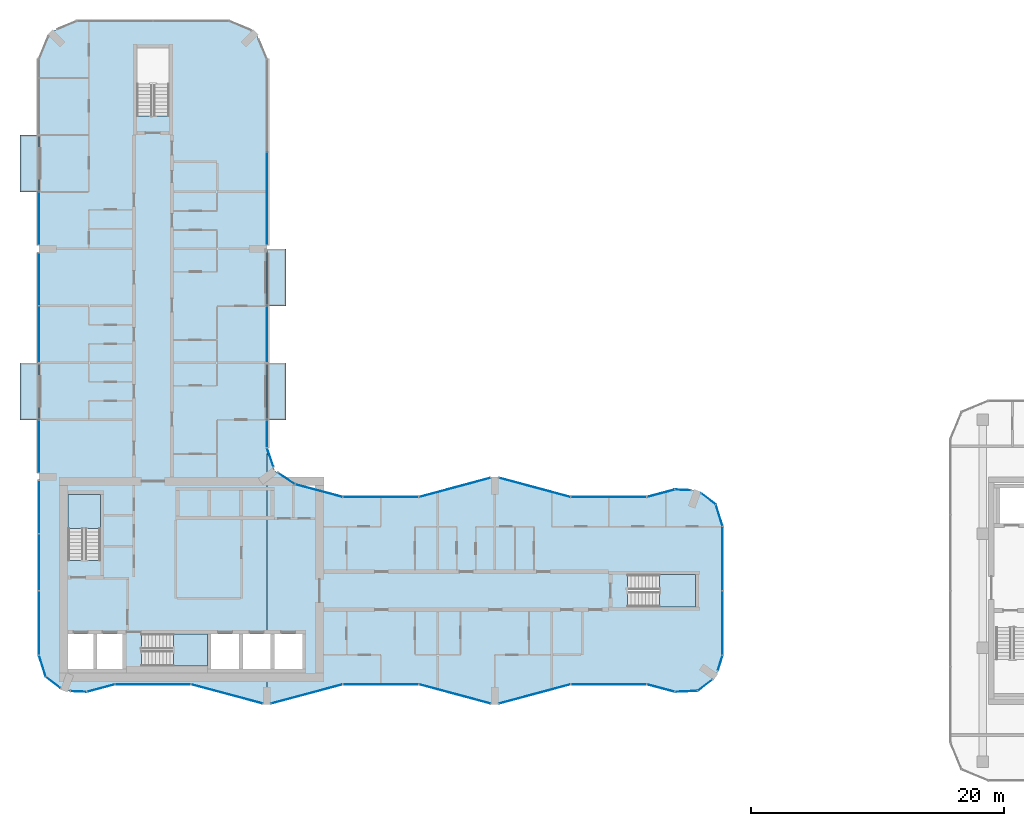
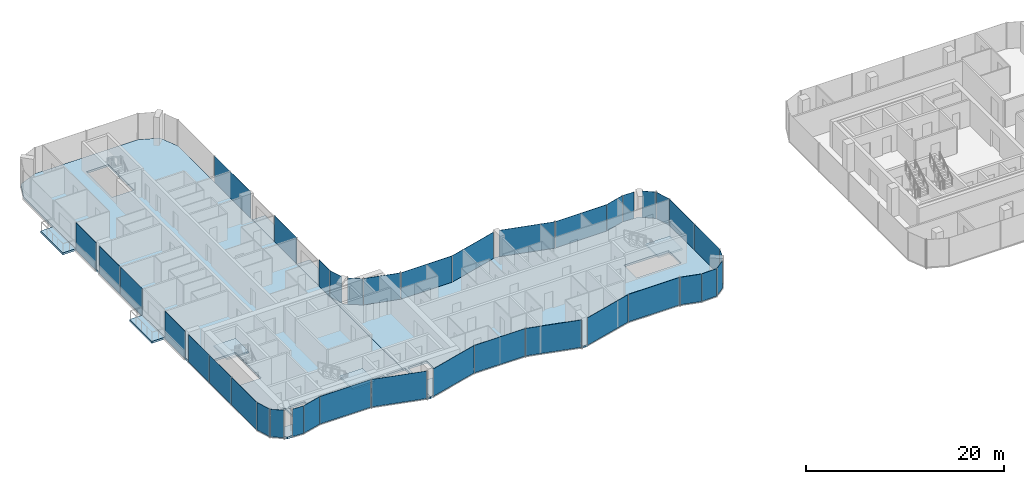
# One storey, part 11 of 23: 38 plates, 9 slabs, 37 elements without a shape of their own.
"""IFC4 building model written with IfcOpenShell, lengths in metres."""

from ifc_helpers import new_model, si_unit, direction, frame, origin, origin_2d, place, context, subcontext, project, spatial, polyline, rectangle, outline, extrude, material, layer, layer_set, type_object, element, aggregate, save


model = new_model("IFC4")

# Units and contexts
model_context = context("Model", 3, precision=1e-05, world=origin(), true_north=direction((0.0, 1.0)))
body_context = subcontext(model_context, "Body", "Model", "MODEL_VIEW")
ifc_project = project(units=[si_unit("LENGTHUNIT", "METRE"), si_unit("AREAUNIT", "SQUARE_METRE"), si_unit("VOLUMEUNIT", "CUBIC_METRE"), si_unit("PLANEANGLEUNIT", "RADIAN"), si_unit("MASSUNIT", "GRAM", prefix="KILO")], contexts=[model_context])

# Site, building, storey
site_placement = place(None, origin())
site = spatial("IfcSite", under=ifc_project, at=site_placement, CompositionType="ELEMENT")
building_placement = place(site_placement, origin())
building = spatial("IfcBuilding", under=site, at=building_placement, Name="Plateau Cross Towers", CompositionType="ELEMENT")
storey_placement = place(building_placement, frame((0.0, 0.0, 85.300048828125)))
storey = spatial("IfcBuildingStorey", under=building, at=storey_placement, Name="L21", CompositionType="ELEMENT", Elevation=85.300048828125)

# Slabs
ifc_material_1 = material(Name="Concrete C40/50", Category="concrete")
ifc_layer_1 = layer(ifc_material_1, 0.25)
ifc_layer_set_1 = layer_set([ifc_layer_1], Name="Concrete C40/50")
slab_type_1 = type_object("IfcSlabType", Name="Balcony slab 250", PredefinedType="FLOOR", material=ifc_layer_set_1)
slab_1_placement = place(storey_placement, frame((0.0, 0.0, -0.25)))
element("IfcSlab", 1, at=slab_1_placement, inside=storey, type_object=slab_type_1, Name="Balcony slab A-BAL-L21-01", PredefinedType="FLOOR", context=body_context, shape_type="SweptSolid", body=[
    extrude(outline(polyline([(0.0, 22.5), (0.0, 27.0), (-1.5, 27.0), (-1.5, 22.5), (0.0, 22.5)])), origin(), (0.0, 0.0, 1.0), 0.25),
])
slab_2_placement = place(storey_placement, frame((0.0, 0.0, -0.25)))
element("IfcSlab", 2, at=slab_2_placement, inside=storey, type_object=slab_type_1, Name="Balcony slab A-BAL-L21-02", PredefinedType="FLOOR", context=body_context, shape_type="SweptSolid", body=[
    extrude(outline(polyline([(0.0, 40.5), (0.0, 45.0), (-1.5, 45.0), (-1.5, 40.5), (0.0, 40.5)])), origin(), (0.0, 0.0, 1.0), 0.25),
])
slab_3_placement = place(storey_placement, frame((0.0, 0.0, -0.25)))
element("IfcSlab", 3, at=slab_3_placement, inside=storey, type_object=slab_type_1, Name="Balcony slab A-BAL-L21-03", PredefinedType="FLOOR", context=body_context, shape_type="SweptSolid", body=[
    extrude(outline(polyline([(19.5, 22.5), (19.5, 27.0), (18.0, 27.0), (18.0, 22.5), (19.5, 22.5)])), origin(), (0.0, 0.0, 1.0), 0.25),
])
slab_4_placement = place(storey_placement, frame((0.0, 0.0, -0.25)))
element("IfcSlab", 4, at=slab_4_placement, inside=storey, type_object=slab_type_1, Name="Balcony slab A-BAL-L21-04", PredefinedType="FLOOR", context=body_context, shape_type="SweptSolid", body=[
    extrude(outline(polyline([(19.5, 31.5), (19.5, 36.0), (18.0, 36.0), (18.0, 31.5), (19.5, 31.5)])), origin(), (0.0, 0.0, 1.0), 0.25),
])

# Curtain wall, plate
ifc_material_2 = material(Name="Dark low-iron glass", Category="glass")
ifc_layer_2 = layer(ifc_material_2, 0.239990234375)
ifc_layer_set_2 = layer_set([ifc_layer_2], Name="Dark low-iron glass")
curtain_wall_type_1 = type_object("IfcCurtainWallType", Name="Curtain wall flush unitised CW-B", PredefinedType="NOTDEFINED", material=ifc_layer_set_2)
curtain_wall_1_placement = place(storey_placement, origin())
curtain_wall_1 = element("IfcCurtainWall", 5, at=curtain_wall_1_placement, inside=storey, type_object=curtain_wall_type_1, Name="ENV/A/L21/A502_10", PredefinedType="NOTDEFINED")
ifc_layer_3 = layer(ifc_material_2, 0.031982421875)
ifc_layer_set_3 = layer_set([ifc_layer_3], Name="Dark low-iron glass")
plate_type_1 = type_object("IfcPlateType", Name="Glass panel 32 flush unitised", PredefinedType="CURTAIN_PANEL", material=ifc_layer_set_3)
plate_1_placement = place(storey_placement, frame((51.125, 1.05078125, -0.1298828125), z_axis=(0.0, 0.0, 1.0), x_axis=(0.999043701491, 0.043722791671, 0.0)))
plate_1 = element("IfcPlate", 6, at=plate_1_placement, type_object=plate_type_1, Name="CW-B panel 1", PredefinedType="CURTAIN_PANEL", context=body_context, shape_type="SweptSolid", body=[
    extrude(rectangle(XDim=1.744140625, YDim=0.031982421875, at=origin_2d()), origin(), (0.0, 0.0, 1.0), 3.3798828125),
])
aggregate(curtain_wall_1, [plate_1])

curtain_wall_2_placement = place(storey_placement, origin())
curtain_wall_2 = element("IfcCurtainWall", 7, at=curtain_wall_2_placement, inside=storey, type_object=curtain_wall_type_1, Name="ENV/A/L21/A520_11", PredefinedType="NOTDEFINED")
plate_2_placement = place(storey_placement, frame((52.60986328125, 1.5380859375, -0.1298828125), z_axis=(0.0, 0.0, 1.0), x_axis=(0.793315514529, 0.608810721331, 0.0)))
plate_2 = element("IfcPlate", 8, at=plate_2_placement, type_object=plate_type_1, Name="CW-B panel 1", PredefinedType="CURTAIN_PANEL", context=body_context, shape_type="SweptSolid", body=[
    extrude(rectangle(XDim=1.41162109375, YDim=0.031982421875, at=origin_2d()), origin(), (0.0, 0.0, 1.0), 3.3798828125),
])
aggregate(curtain_wall_2, [plate_2])

curtain_wall_3_placement = place(storey_placement, origin())
curtain_wall_3 = element("IfcCurtainWall", 9, at=curtain_wall_3_placement, inside=storey, type_object=curtain_wall_type_1, Name="ENV/A/L21/A536_27", PredefinedType="NOTDEFINED")
plate_3_placement = place(storey_placement, frame((53.805419921875, 3.292236328125, -0.1298828125), z_axis=(0.0, 0.0, 1.0), x_axis=(0.300686174994, 0.95372313811, 0.0)))
plate_3 = element("IfcPlate", 10, at=plate_3_placement, type_object=plate_type_1, Name="CW-B panel 1", PredefinedType="CURTAIN_PANEL", context=body_context, shape_type="SweptSolid", body=[
    extrude(rectangle(XDim=1.233642578125, YDim=0.031982421875, at=origin_2d()), origin(), (0.0, 0.0, 1.0), 3.3798828125),
])
aggregate(curtain_wall_3, [plate_3])

# Curtain wall, plates
curtain_wall_4_placement = place(storey_placement, origin())
curtain_wall_4 = element("IfcCurtainWall", 11, at=curtain_wall_4_placement, inside=storey, type_object=curtain_wall_type_1, Name="ENV/A/L21/A540_39", PredefinedType="NOTDEFINED")
plate_4_placement = place(storey_placement, frame((54.0, 6.45458984375, -0.1298828125), z_axis=(0.0, 0.0, 1.0), x_axis=(0.0, 1.0, 0.0)))
plate_4 = element("IfcPlate", 12, at=plate_4_placement, type_object=plate_type_1, Name="CW-B panel 1", PredefinedType="CURTAIN_PANEL", context=body_context, shape_type="SweptSolid", body=[
    extrude(rectangle(XDim=5.03076171875, YDim=0.031982421875, at=origin_2d()), origin(), (0.0, 0.0, 1.0), 3.3798828125),
])
plate_5_placement = place(storey_placement, frame((54.0, 11.54541015625, -0.1298828125), z_axis=(0.0, 0.0, 1.0), x_axis=(0.0, 1.0, 0.0)))
plate_5 = element("IfcPlate", 13, at=plate_5_placement, type_object=plate_type_1, Name="CW-B panel 2", PredefinedType="CURTAIN_PANEL", context=body_context, shape_type="SweptSolid", body=[
    extrude(rectangle(XDim=5.03076171875, YDim=0.031982421875, at=origin_2d()), origin(), (0.0, 0.0, 1.0), 3.3798828125),
])
aggregate(curtain_wall_4, [plate_4, plate_5])

# Curtain wall, plate
curtain_wall_5_placement = place(storey_placement, origin())
curtain_wall_5 = element("IfcCurtainWall", 14, at=curtain_wall_5_placement, inside=storey, type_object=curtain_wall_type_1, Name="ENV/A/L21/A540_141", PredefinedType="NOTDEFINED")
plate_6_placement = place(storey_placement, frame((53.728759765625, 14.951171875, -0.1298828125), z_axis=(0.0, 0.0, 1.0), x_axis=(-0.300686174994, 0.95372313811, 0.0)))
plate_6 = element("IfcPlate", 15, at=plate_6_placement, type_object=plate_type_1, Name="CW-B panel 1", PredefinedType="CURTAIN_PANEL", context=body_context, shape_type="SweptSolid", body=[
    extrude(rectangle(XDim=1.744140625, YDim=0.031982421875, at=origin_2d()), origin(), (0.0, 0.0, 1.0), 3.3798828125),
])
aggregate(curtain_wall_5, [plate_6])

curtain_wall_6_placement = place(storey_placement, origin())
curtain_wall_6 = element("IfcCurtainWall", 16, at=curtain_wall_6_placement, inside=storey, type_object=curtain_wall_type_1, Name="ENV/A/L21/A535_158", PredefinedType="NOTDEFINED")
plate_7_placement = place(storey_placement, frame((52.873779296875, 16.25927734375, -0.1298828125), z_axis=(0.0, 0.0, 1.0), x_axis=(-0.793315514529, 0.608810721331, 0.0)))
plate_7 = element("IfcPlate", 17, at=plate_7_placement, type_object=plate_type_1, Name="CW-B panel 1", PredefinedType="CURTAIN_PANEL", context=body_context, shape_type="SweptSolid", body=[
    extrude(rectangle(XDim=1.41162109375, YDim=0.031982421875, at=origin_2d()), origin(), (0.0, 0.0, 1.0), 3.3798828125),
])
aggregate(curtain_wall_6, [plate_7])

curtain_wall_7_placement = place(storey_placement, origin())
curtain_wall_7 = element("IfcCurtainWall", 18, at=curtain_wall_7_placement, inside=storey, type_object=curtain_wall_type_1, Name="ENV/A/L21/A515_169", PredefinedType="NOTDEFINED")
plate_8_placement = place(storey_placement, frame((50.8701171875, 16.96044921875, -0.1298828125), z_axis=(0.0, 0.0, 1.0), x_axis=(-0.999043701491, 0.043722791671, 0.0)))
plate_8 = element("IfcPlate", 19, at=plate_8_placement, type_object=plate_type_1, Name="CW-B panel 1", PredefinedType="CURTAIN_PANEL", context=body_context, shape_type="SweptSolid", body=[
    extrude(rectangle(XDim=1.233642578125, YDim=0.031982421875, at=origin_2d()), origin(), (0.0, 0.0, 1.0), 3.3798828125),
])
aggregate(curtain_wall_7, [plate_8])

curtain_wall_8_placement = place(storey_placement, origin())
curtain_wall_8 = element("IfcCurtainWall", 20, at=curtain_wall_8_placement, inside=storey, type_object=curtain_wall_type_1, Name="ENV/A/L21/A202_174", PredefinedType="NOTDEFINED")
plate_9_placement = place(storey_placement, frame((19.546630859375, 17.856689453125, -0.1298828125), z_axis=(0.0, 0.0, 1.0), x_axis=(-0.831521253329, 0.555492938984, 0.0)))
plate_9 = element("IfcPlate", 21, at=plate_9_placement, type_object=plate_type_1, Name="CW-B panel 1", PredefinedType="CURTAIN_PANEL", context=body_context, shape_type="SweptSolid", body=[
    extrude(rectangle(XDim=1.56884765625, YDim=0.031982421875, at=origin_2d()), origin(), (0.0, 0.0, 1.0), 3.3798828125),
])
aggregate(curtain_wall_8, [plate_9])

curtain_wall_9_placement = place(storey_placement, origin())
curtain_wall_9 = element("IfcCurtainWall", 22, at=curtain_wall_9_placement, inside=storey, type_object=curtain_wall_type_1, Name="ENV/A/L21/A185_188", PredefinedType="NOTDEFINED")
plate_10_placement = place(storey_placement, frame((18.26171875, 19.531005859375, -0.1298828125), z_axis=(0.0, 0.0, 1.0), x_axis=(-0.321469161574, 0.94692004845, 0.0)))
plate_10 = element("IfcPlate", 23, at=plate_10_placement, type_object=plate_type_1, Name="CW-B panel 1", PredefinedType="CURTAIN_PANEL", context=body_context, shape_type="SweptSolid", body=[
    extrude(rectangle(XDim=1.56884765625, YDim=0.031982421875, at=origin_2d()), origin(), (0.0, 0.0, 1.0), 3.3798828125),
])
aggregate(curtain_wall_9, [plate_10])

curtain_wall_10_placement = place(storey_placement, origin())
curtain_wall_10 = element("IfcCurtainWall", 24, at=curtain_wall_10_placement, inside=storey, type_object=curtain_wall_type_1, Name="ENV/A/L21/A180_203", PredefinedType="NOTDEFINED")
plate_11_placement = place(storey_placement, frame((18.0, 21.396240234375, -0.1298828125), z_axis=(0.0, 0.0, 1.0), x_axis=(0.0, 1.0, 0.0)))
plate_11 = element("IfcPlate", 25, at=plate_11_placement, type_object=plate_type_1, Name="CW-B panel 1", PredefinedType="CURTAIN_PANEL", context=body_context, shape_type="SweptSolid", body=[
    extrude(rectangle(XDim=2.127685546875, YDim=0.031982421875, at=origin_2d()), origin(), (0.0, 0.0, 1.0), 3.3798828125),
])
aggregate(curtain_wall_10, [plate_11])

curtain_wall_11_placement = place(storey_placement, origin())
curtain_wall_11 = element("IfcCurtainWall", 26, at=curtain_wall_11_placement, inside=storey, type_object=curtain_wall_type_1, Name="ENV/A/L21/A180_270", PredefinedType="NOTDEFINED")
plate_12_placement = place(storey_placement, frame((18.0, 29.25, -0.1298828125), z_axis=(0.0, 0.0, 1.0), x_axis=(0.0, 1.0, 0.0)))
plate_12 = element("IfcPlate", 27, at=plate_12_placement, type_object=plate_type_1, Name="CW-B panel 1", PredefinedType="CURTAIN_PANEL", context=body_context, shape_type="SweptSolid", body=[
    extrude(rectangle(XDim=4.419921875, YDim=0.031982421875, at=origin_2d()), origin(), (0.0, 0.0, 1.0), 3.3798828125),
])
aggregate(curtain_wall_11, [plate_12])

curtain_wall_12_placement = place(storey_placement, origin())
curtain_wall_12 = element("IfcCurtainWall", 28, at=curtain_wall_12_placement, inside=storey, type_object=curtain_wall_type_1, Name="ENV/A/L21/A180_363", PredefinedType="NOTDEFINED")
plate_13_placement = place(storey_placement, frame((18.0, 39.97509765625, -0.1298828125), z_axis=(0.0, 0.0, 1.0), x_axis=(0.0, 1.0, 0.0)))
plate_13 = element("IfcPlate", 29, at=plate_13_placement, type_object=plate_type_1, Name="CW-B panel 1", PredefinedType="CURTAIN_PANEL", context=body_context, shape_type="SweptSolid", body=[
    extrude(rectangle(XDim=7.2900390625, YDim=0.031982421875, at=origin_2d()), origin(), (0.0, 0.0, 1.0), 3.3798828125),
])
aggregate(curtain_wall_12, [plate_13])

curtain_wall_13_placement = place(storey_placement, origin())
curtain_wall_13 = element("IfcCurtainWall", 30, at=curtain_wall_13_placement, inside=storey, type_object=curtain_wall_type_1, Name="ENV/A/L21/A0_405", PredefinedType="NOTDEFINED")
plate_14_placement = place(storey_placement, frame((0.0, 38.39501953125, -0.1298828125), z_axis=(0.0, 0.0, 1.0), x_axis=(0.0, -1.0, 0.0)))
plate_14 = element("IfcPlate", 31, at=plate_14_placement, type_object=plate_type_1, Name="CW-B panel 1", PredefinedType="CURTAIN_PANEL", context=body_context, shape_type="SweptSolid", body=[
    extrude(rectangle(XDim=4.1298828125, YDim=0.031982421875, at=origin_2d()), origin(), (0.0, 0.0, 1.0), 3.3798828125),
])
aggregate(curtain_wall_13, [plate_14])

# Curtain wall, plates
curtain_wall_14_placement = place(storey_placement, origin())
curtain_wall_14 = element("IfcCurtainWall", 32, at=curtain_wall_14_placement, inside=storey, type_object=curtain_wall_type_1, Name="ENV/A/L21/A0_357", PredefinedType="NOTDEFINED")
plate_15_placement = place(storey_placement, frame((0.0, 33.60009765625, -0.1298828125), z_axis=(0.0, 0.0, 1.0), x_axis=(0.0, -1.0, 0.0)))
plate_15 = element("IfcPlate", 33, at=plate_15_placement, type_object=plate_type_1, Name="CW-B panel 1", PredefinedType="CURTAIN_PANEL", context=body_context, shape_type="SweptSolid", body=[
    extrude(rectangle(XDim=4.139892578125, YDim=0.031982421875, at=origin_2d()), origin(), (0.0, 0.0, 1.0), 3.3798828125),
])
plate_16_placement = place(storey_placement, frame((0.0, 29.2548828125, -0.1298828125), z_axis=(0.0, 0.0, 1.0), x_axis=(0.0, -1.0, 0.0)))
plate_16 = element("IfcPlate", 34, at=plate_16_placement, type_object=plate_type_1, Name="CW-B panel 2", PredefinedType="CURTAIN_PANEL", context=body_context, shape_type="SweptSolid", body=[
    extrude(rectangle(XDim=4.429931640625, YDim=0.031982421875, at=origin_2d()), origin(), (0.0, 0.0, 1.0), 3.3798828125),
])
aggregate(curtain_wall_14, [plate_15, plate_16])

# Curtain wall, plate
curtain_wall_15_placement = place(storey_placement, origin())
curtain_wall_15 = element("IfcCurtainWall", 35, at=curtain_wall_15_placement, inside=storey, type_object=curtain_wall_type_1, Name="ENV/A/L21/A0_225", PredefinedType="NOTDEFINED")
plate_17_placement = place(storey_placement, frame((0.0, 20.39501953125, -0.1298828125), z_axis=(0.0, 0.0, 1.0), x_axis=(0.0, -1.0, 0.0)))
plate_17 = element("IfcPlate", 36, at=plate_17_placement, type_object=plate_type_1, Name="CW-B panel 1", PredefinedType="CURTAIN_PANEL", context=body_context, shape_type="SweptSolid", body=[
    extrude(rectangle(XDim=4.1298828125, YDim=0.031982421875, at=origin_2d()), origin(), (0.0, 0.0, 1.0), 3.3798828125),
])
aggregate(curtain_wall_15, [plate_17])

# Curtain wall, plates
curtain_wall_16_placement = place(storey_placement, origin())
curtain_wall_16 = element("IfcCurtainWall", 37, at=curtain_wall_16_placement, inside=storey, type_object=curtain_wall_type_1, Name="ENV/A/L21/A0_177", PredefinedType="NOTDEFINED")
plate_18_placement = place(storey_placement, frame((0.0, 15.60009765625, -0.1298828125), z_axis=(0.0, 0.0, 1.0), x_axis=(0.0, -1.0, 0.0)))
plate_18 = element("IfcPlate", 38, at=plate_18_placement, type_object=plate_type_1, Name="CW-B panel 1", PredefinedType="CURTAIN_PANEL", context=body_context, shape_type="SweptSolid", body=[
    extrude(rectangle(XDim=4.139892578125, YDim=0.031982421875, at=origin_2d()), origin(), (0.0, 0.0, 1.0), 3.3798828125),
])
plate_19_placement = place(storey_placement, frame((0.0, 11.25, -0.1298828125), z_axis=(0.0, 0.0, 1.0), x_axis=(0.0, -1.0, 0.0)))
plate_19 = element("IfcPlate", 39, at=plate_19_placement, type_object=plate_type_1, Name="CW-B panel 2", PredefinedType="CURTAIN_PANEL", context=body_context, shape_type="SweptSolid", body=[
    extrude(rectangle(XDim=4.43994140625, YDim=0.031982421875, at=origin_2d()), origin(), (0.0, 0.0, 1.0), 3.3798828125),
])
plate_20_placement = place(storey_placement, frame((0.0, 6.45458984375, -0.1298828125), z_axis=(0.0, 0.0, 1.0), x_axis=(0.0, -1.0, 0.0)))
plate_20 = element("IfcPlate", 40, at=plate_20_placement, type_object=plate_type_1, Name="CW-B panel 3", PredefinedType="CURTAIN_PANEL", context=body_context, shape_type="SweptSolid", body=[
    extrude(rectangle(XDim=5.03076171875, YDim=0.031982421875, at=origin_2d()), origin(), (0.0, 0.0, 1.0), 3.3798828125),
])
aggregate(curtain_wall_16, [plate_18, plate_19, plate_20])

# Curtain wall, plate
curtain_wall_17_placement = place(storey_placement, origin())
curtain_wall_17 = element("IfcCurtainWall", 41, at=curtain_wall_17_placement, inside=storey, type_object=curtain_wall_type_1, Name="ENV/A/L21/A0_39", PredefinedType="NOTDEFINED")
plate_21_placement = place(storey_placement, frame((0.271240234375, 3.048828125, -0.1298828125), z_axis=(0.0, 0.0, 1.0), x_axis=(0.300686174994, -0.95372313811, 0.0)))
plate_21 = element("IfcPlate", 42, at=plate_21_placement, type_object=plate_type_1, Name="CW-B panel 1", PredefinedType="CURTAIN_PANEL", context=body_context, shape_type="SweptSolid", body=[
    extrude(rectangle(XDim=1.744140625, YDim=0.031982421875, at=origin_2d()), origin(), (0.0, 0.0, 1.0), 3.3798828125),
])
aggregate(curtain_wall_17, [plate_21])

curtain_wall_18_placement = place(storey_placement, origin())
curtain_wall_18 = element("IfcCurtainWall", 43, at=curtain_wall_18_placement, inside=storey, type_object=curtain_wall_type_1, Name="ENV/A/L21/A5_22", PredefinedType="NOTDEFINED")
plate_22_placement = place(storey_placement, frame((1.126220703125, 1.74072265625, -0.1298828125), z_axis=(0.0, 0.0, 1.0), x_axis=(0.793315514529, -0.608810721331, 0.0)))
plate_22 = element("IfcPlate", 44, at=plate_22_placement, type_object=plate_type_1, Name="CW-B panel 1", PredefinedType="CURTAIN_PANEL", context=body_context, shape_type="SweptSolid", body=[
    extrude(rectangle(XDim=1.41162109375, YDim=0.031982421875, at=origin_2d()), origin(), (0.0, 0.0, 1.0), 3.3798828125),
])
aggregate(curtain_wall_18, [plate_22])

curtain_wall_19_placement = place(storey_placement, origin())
curtain_wall_19 = element("IfcCurtainWall", 45, at=curtain_wall_19_placement, inside=storey, type_object=curtain_wall_type_1, Name="ENV/A/L21/A25_11", PredefinedType="NOTDEFINED")
plate_23_placement = place(storey_placement, frame((3.1298828125, 1.03955078125, -0.1298828125), z_axis=(0.0, 0.0, 1.0), x_axis=(0.999043701491, -0.043722791671, 0.0)))
plate_23 = element("IfcPlate", 46, at=plate_23_placement, type_object=plate_type_1, Name="CW-B panel 1", PredefinedType="CURTAIN_PANEL", context=body_context, shape_type="SweptSolid", body=[
    extrude(rectangle(XDim=1.233642578125, YDim=0.031982421875, at=origin_2d()), origin(), (0.0, 0.0, 1.0), 3.3798828125),
])
aggregate(curtain_wall_19, [plate_23])

ifc_layer_4 = layer(ifc_material_2, 0.260009765625)
ifc_layer_set_4 = layer_set([ifc_layer_4], Name="Dark low-iron glass")
curtain_wall_type_2 = type_object("IfcCurtainWallType", Name="Curtain wall fluted unitised CW-A", PredefinedType="NOTDEFINED", material=ifc_layer_set_4)
curtain_wall_20_placement = place(storey_placement, origin())
curtain_wall_20 = element("IfcCurtainWall", 47, at=curtain_wall_20_placement, inside=storey, type_object=curtain_wall_type_2, Name="ENV/A/L21/A38_10", PredefinedType="NOTDEFINED")
ifc_layer_5 = layer(ifc_material_2, 0.035888671875)
ifc_layer_set_5 = layer_set([ifc_layer_5], Name="Dark low-iron glass")
plate_type_2 = type_object("IfcPlateType", Name="Glass panel 36 fluted unitised", PredefinedType="CURTAIN_PANEL", material=ifc_layer_set_5)
plate_24_placement = place(storey_placement, frame((4.887939453125, 1.30908203125, -0.1298828125), z_axis=(0.0, 0.0, 1.0), x_axis=(0.965957962328, 0.258699081978, 0.0)))
plate_24 = element("IfcPlate", 48, at=plate_24_placement, type_object=plate_type_2, Name="CW-A panel 1", PredefinedType="CURTAIN_PANEL", context=body_context, shape_type="SweptSolid", body=[
    extrude(rectangle(XDim=2.2421875, YDim=0.035888671875, at=origin_2d()), origin(), (0.0, 0.0, 1.0), 3.3798828125),
])
aggregate(curtain_wall_20, [plate_24])

curtain_wall_21_placement = place(storey_placement, origin())
curtain_wall_21 = element("IfcCurtainWall", 49, at=curtain_wall_21_placement, inside=storey, type_object=curtain_wall_type_2, Name="ENV/A/L21/A60_16", PredefinedType="NOTDEFINED")
plate_25_placement = place(storey_placement, frame((9.0, 1.60693359375, -0.1298828125), z_axis=(0.0, 0.0, 1.0), x_axis=(1.0, 0.0, 0.0)))
plate_25 = element("IfcPlate", 50, at=plate_25_placement, type_object=plate_type_2, Name="CW-A panel 1", PredefinedType="CURTAIN_PANEL", context=body_context, shape_type="SweptSolid", body=[
    extrude(rectangle(XDim=5.93994140625, YDim=0.035888671875, at=origin_2d()), origin(), (0.0, 0.0, 1.0), 3.3798828125),
])
aggregate(curtain_wall_21, [plate_25])

curtain_wall_22_placement = place(storey_placement, origin())
curtain_wall_22 = element("IfcCurtainWall", 51, at=curtain_wall_22_placement, inside=storey, type_object=curtain_wall_type_2, Name="ENV/A/L21/A120_16", PredefinedType="NOTDEFINED")
plate_26_placement = place(storey_placement, frame((14.841064453125, 0.845947265625, -0.1298828125), z_axis=(0.0, 0.0, 1.0), x_axis=(0.965957983404, -0.258699003279, 0.0)))
plate_26 = element("IfcPlate", 52, at=plate_26_placement, type_object=plate_type_2, Name="CW-A panel 1", PredefinedType="CURTAIN_PANEL", context=body_context, shape_type="SweptSolid", body=[
    extrude(rectangle(XDim=5.822265625, YDim=0.035888671875, at=origin_2d()), origin(), (0.0, 0.0, 1.0), 3.3798828125),
])
aggregate(curtain_wall_22, [plate_26])

curtain_wall_23_placement = place(storey_placement, origin())
curtain_wall_23 = element("IfcCurtainWall", 53, at=curtain_wall_23_placement, inside=storey, type_object=curtain_wall_type_2, Name="ENV/A/L21/A183_1", PredefinedType="NOTDEFINED")
plate_27_placement = place(storey_placement, frame((21.158935546875, 0.845947265625, -0.1298828125), z_axis=(0.0, 0.0, 1.0), x_axis=(0.965957983404, 0.258699003279, 0.0)))
plate_27 = element("IfcPlate", 54, at=plate_27_placement, type_object=plate_type_2, Name="CW-A panel 1", PredefinedType="CURTAIN_PANEL", context=body_context, shape_type="SweptSolid", body=[
    extrude(rectangle(XDim=5.822265625, YDim=0.035888671875, at=origin_2d()), origin(), (0.0, 0.0, 1.0), 3.3798828125),
])
aggregate(curtain_wall_23, [plate_27])

curtain_wall_24_placement = place(storey_placement, origin())
curtain_wall_24 = element("IfcCurtainWall", 55, at=curtain_wall_24_placement, inside=storey, type_object=curtain_wall_type_2, Name="ENV/A/L21/A240_16", PredefinedType="NOTDEFINED")
plate_28_placement = place(storey_placement, frame((27.0, 1.60693359375, -0.1298828125), z_axis=(0.0, 0.0, 1.0), x_axis=(1.0, 0.0, 0.0)))
plate_28 = element("IfcPlate", 56, at=plate_28_placement, type_object=plate_type_2, Name="CW-A panel 1", PredefinedType="CURTAIN_PANEL", context=body_context, shape_type="SweptSolid", body=[
    extrude(rectangle(XDim=5.93994140625, YDim=0.035888671875, at=origin_2d()), origin(), (0.0, 0.0, 1.0), 3.3798828125),
])
aggregate(curtain_wall_24, [plate_28])

curtain_wall_25_placement = place(storey_placement, origin())
curtain_wall_25 = element("IfcCurtainWall", 57, at=curtain_wall_25_placement, inside=storey, type_object=curtain_wall_type_2, Name="ENV/A/L21/A300_16", PredefinedType="NOTDEFINED")
plate_29_placement = place(storey_placement, frame((32.841064453125, 0.845947265625, -0.1298828125), z_axis=(0.0, 0.0, 1.0), x_axis=(0.965957983404, -0.258699003279, 0.0)))
plate_29 = element("IfcPlate", 58, at=plate_29_placement, type_object=plate_type_2, Name="CW-A panel 1", PredefinedType="CURTAIN_PANEL", context=body_context, shape_type="SweptSolid", body=[
    extrude(rectangle(XDim=5.822265625, YDim=0.035888671875, at=origin_2d()), origin(), (0.0, 0.0, 1.0), 3.3798828125),
])
aggregate(curtain_wall_25, [plate_29])

curtain_wall_26_placement = place(storey_placement, origin())
curtain_wall_26 = element("IfcCurtainWall", 59, at=curtain_wall_26_placement, inside=storey, type_object=curtain_wall_type_2, Name="ENV/A/L21/A363_1", PredefinedType="NOTDEFINED")
plate_30_placement = place(storey_placement, frame((39.158935546875, 0.845947265625, -0.1298828125), z_axis=(0.0, 0.0, 1.0), x_axis=(0.965957983404, 0.258699003279, 0.0)))
plate_30 = element("IfcPlate", 60, at=plate_30_placement, type_object=plate_type_2, Name="CW-A panel 1", PredefinedType="CURTAIN_PANEL", context=body_context, shape_type="SweptSolid", body=[
    extrude(rectangle(XDim=5.822265625, YDim=0.035888671875, at=origin_2d()), origin(), (0.0, 0.0, 1.0), 3.3798828125),
])
aggregate(curtain_wall_26, [plate_30])

curtain_wall_27_placement = place(storey_placement, origin())
curtain_wall_27 = element("IfcCurtainWall", 61, at=curtain_wall_27_placement, inside=storey, type_object=curtain_wall_type_2, Name="ENV/A/L21/A420_16", PredefinedType="NOTDEFINED")
plate_31_placement = place(storey_placement, frame((45.0, 1.60693359375, -0.1298828125), z_axis=(0.0, 0.0, 1.0), x_axis=(1.0, 0.0, 0.0)))
plate_31 = element("IfcPlate", 62, at=plate_31_placement, type_object=plate_type_2, Name="CW-A panel 1", PredefinedType="CURTAIN_PANEL", context=body_context, shape_type="SweptSolid", body=[
    extrude(rectangle(XDim=5.93994140625, YDim=0.035888671875, at=origin_2d()), origin(), (0.0, 0.0, 1.0), 3.3798828125),
])
aggregate(curtain_wall_27, [plate_31])

curtain_wall_28_placement = place(storey_placement, origin())
curtain_wall_28 = element("IfcCurtainWall", 63, at=curtain_wall_28_placement, inside=storey, type_object=curtain_wall_type_2, Name="ENV/A/L21/A480_16", PredefinedType="NOTDEFINED")
plate_32_placement = place(storey_placement, frame((49.112060546875, 1.30908203125, -0.1298828125), z_axis=(0.0, 0.0, 1.0), x_axis=(0.965957962328, -0.258699081978, 0.0)))
plate_32 = element("IfcPlate", 64, at=plate_32_placement, type_object=plate_type_2, Name="CW-A panel 1", PredefinedType="CURTAIN_PANEL", context=body_context, shape_type="SweptSolid", body=[
    extrude(rectangle(XDim=2.2421875, YDim=0.035888671875, at=origin_2d()), origin(), (0.0, 0.0, 1.0), 3.3798828125),
])
aggregate(curtain_wall_28, [plate_32])

curtain_wall_29_placement = place(storey_placement, origin())
curtain_wall_29 = element("IfcCurtainWall", 65, at=curtain_wall_29_placement, inside=storey, type_object=curtain_wall_type_2, Name="ENV/A/L21/A502_170", PredefinedType="NOTDEFINED")
plate_33_placement = place(storey_placement, frame((49.112060546875, 16.69091796875, -0.1298828125), z_axis=(0.0, 0.0, 1.0), x_axis=(-0.965957962328, -0.258699081978, 0.0)))
plate_33 = element("IfcPlate", 66, at=plate_33_placement, type_object=plate_type_2, Name="CW-A panel 1", PredefinedType="CURTAIN_PANEL", context=body_context, shape_type="SweptSolid", body=[
    extrude(rectangle(XDim=2.2421875, YDim=0.035888671875, at=origin_2d()), origin(), (0.0, 0.0, 1.0), 3.3798828125),
])
aggregate(curtain_wall_29, [plate_33])

curtain_wall_30_placement = place(storey_placement, origin())
curtain_wall_30 = element("IfcCurtainWall", 67, at=curtain_wall_30_placement, inside=storey, type_object=curtain_wall_type_2, Name="ENV/A/L21/A480_164", PredefinedType="NOTDEFINED")
plate_34_placement = place(storey_placement, frame((45.0, 16.39306640625, -0.1298828125), z_axis=(0.0, 0.0, 1.0), x_axis=(-1.0, 0.0, 0.0)))
plate_34 = element("IfcPlate", 68, at=plate_34_placement, type_object=plate_type_2, Name="CW-A panel 1", PredefinedType="CURTAIN_PANEL", context=body_context, shape_type="SweptSolid", body=[
    extrude(rectangle(XDim=5.93994140625, YDim=0.035888671875, at=origin_2d()), origin(), (0.0, 0.0, 1.0), 3.3798828125),
])
aggregate(curtain_wall_30, [plate_34])

curtain_wall_31_placement = place(storey_placement, origin())
curtain_wall_31 = element("IfcCurtainWall", 69, at=curtain_wall_31_placement, inside=storey, type_object=curtain_wall_type_2, Name="ENV/A/L21/A420_164", PredefinedType="NOTDEFINED")
plate_35_placement = place(storey_placement, frame((39.158935546875, 17.154052734375, -0.1298828125), z_axis=(0.0, 0.0, 1.0), x_axis=(-0.965957983404, 0.258699003279, 0.0)))
plate_35 = element("IfcPlate", 70, at=plate_35_placement, type_object=plate_type_2, Name="CW-A panel 1", PredefinedType="CURTAIN_PANEL", context=body_context, shape_type="SweptSolid", body=[
    extrude(rectangle(XDim=5.822265625, YDim=0.035888671875, at=origin_2d()), origin(), (0.0, 0.0, 1.0), 3.3798828125),
])
aggregate(curtain_wall_31, [plate_35])

curtain_wall_32_placement = place(storey_placement, origin())
curtain_wall_32 = element("IfcCurtainWall", 71, at=curtain_wall_32_placement, inside=storey, type_object=curtain_wall_type_2, Name="ENV/A/L21/A357_179", PredefinedType="NOTDEFINED")
plate_36_placement = place(storey_placement, frame((32.841064453125, 17.154052734375, -0.1298828125), z_axis=(0.0, 0.0, 1.0), x_axis=(-0.965957983404, -0.258699003279, 0.0)))
plate_36 = element("IfcPlate", 72, at=plate_36_placement, type_object=plate_type_2, Name="CW-A panel 1", PredefinedType="CURTAIN_PANEL", context=body_context, shape_type="SweptSolid", body=[
    extrude(rectangle(XDim=5.822265625, YDim=0.035888671875, at=origin_2d()), origin(), (0.0, 0.0, 1.0), 3.3798828125),
])
aggregate(curtain_wall_32, [plate_36])

curtain_wall_33_placement = place(storey_placement, origin())
curtain_wall_33 = element("IfcCurtainWall", 73, at=curtain_wall_33_placement, inside=storey, type_object=curtain_wall_type_2, Name="ENV/A/L21/A300_164", PredefinedType="NOTDEFINED")
plate_37_placement = place(storey_placement, frame((27.0, 16.39306640625, -0.1298828125), z_axis=(0.0, 0.0, 1.0), x_axis=(-1.0, 0.0, 0.0)))
plate_37 = element("IfcPlate", 74, at=plate_37_placement, type_object=plate_type_2, Name="CW-A panel 1", PredefinedType="CURTAIN_PANEL", context=body_context, shape_type="SweptSolid", body=[
    extrude(rectangle(XDim=5.93994140625, YDim=0.035888671875, at=origin_2d()), origin(), (0.0, 0.0, 1.0), 3.3798828125),
])
aggregate(curtain_wall_33, [plate_37])

curtain_wall_34_placement = place(storey_placement, origin())
curtain_wall_34 = element("IfcCurtainWall", 75, at=curtain_wall_34_placement, inside=storey, type_object=curtain_wall_type_2, Name="ENV/A/L21/A240_164", PredefinedType="NOTDEFINED")
plate_38_placement = place(storey_placement, frame((22.112060546875, 16.898681640625, -0.1298828125), z_axis=(0.0, 0.0, 1.0), x_axis=(-0.965957995816, 0.258698956933, 0.0)))
plate_38 = element("IfcPlate", 76, at=plate_38_placement, type_object=plate_type_2, Name="CW-A panel 1", PredefinedType="CURTAIN_PANEL", context=body_context, shape_type="SweptSolid", body=[
    extrude(rectangle(XDim=3.84912109375, YDim=0.035888671875, at=origin_2d()), origin(), (0.0, 0.0, 1.0), 3.3798828125),
])
aggregate(curtain_wall_34, [plate_38])

# Slabs
ifc_layer_6 = layer(ifc_material_1, 0.25)
ifc_layer_set_6 = layer_set([ifc_layer_6], Name="Concrete C40/50")
slab_type_2 = type_object("IfcSlabType", Name="Post-tensioned flat plate slab 250", PredefinedType="FLOOR", material=ifc_layer_set_6)
slab_5_placement = place(storey_placement, frame((0.0, 0.0, -0.25)))
element("IfcSlab", 77, at=slab_5_placement, inside=storey, type_object=slab_type_2, Name="SL-A-L21 1", PredefinedType="FLOOR", context=body_context, shape_type="SweptSolid", body=[
    extrude(outline(polyline([(0.54248046875, 2.1884765625), (0.0, 3.9091796875), (0.0, 51.0), (0.878662109375, 53.121337890625), (3.0, 54.0), (15.0, 54.0), (17.121337890625, 53.121337890625), (18.0, 51.0), (18.0, 20.30224609375), (18.0, 5.60009765625), (16.10009765625, 5.60009765625), (16.10009765625, 2.800048828125), (18.0, 2.800048828125), (18.0, 0.0), (12.0, 1.60693359375), (6.0, 1.60693359375), (3.776123046875, 1.01123046875), (1.9736328125, 1.090087890625), (0.54248046875, 2.1884765625)]), holes=[polyline([(4.300048828125, 5.60009765625), (2.300048828125, 5.60009765625), (2.300048828125, 2.800048828125), (4.300048828125, 2.800048828125), (4.300048828125, 5.60009765625)]), polyline([(6.60009765625, 5.60009765625), (4.60009765625, 5.60009765625), (4.60009765625, 2.800048828125), (6.60009765625, 2.800048828125), (6.60009765625, 5.60009765625)]), polyline([(15.800048828125, 5.60009765625), (13.60009765625, 5.60009765625), (13.60009765625, 2.800048828125), (15.800048828125, 2.800048828125), (15.800048828125, 5.60009765625)]), polyline([(13.300048828125, 5.60009765625), (8.10009765625, 5.60009765625), (8.10009765625, 3.050048828125), (13.300048828125, 3.050048828125), (13.300048828125, 5.60009765625)]), polyline([(4.85009765625, 16.60009765625), (2.300048828125, 16.60009765625), (2.300048828125, 11.39990234375), (4.85009765625, 11.39990234375), (4.85009765625, 16.60009765625)]), polyline([(7.72509765625, 51.699951171875), (7.72509765625, 46.5), (10.27490234375, 46.5), (10.27490234375, 51.699951171875), (7.72509765625, 51.699951171875)])]), origin(), (0.0, 0.0, 1.0), 0.25),
])
slab_6_placement = place(storey_placement, frame((0.0, 0.0, -0.25)))
element("IfcSlab", 78, at=slab_6_placement, inside=storey, type_object=slab_type_2, Name="SL-A-L21 2", PredefinedType="FLOOR", context=body_context, shape_type="SweptSolid", body=[
    extrude(outline(polyline([(18.6201171875, 18.475830078125), (20.223876953125, 17.404296875), (24.0, 16.39306640625), (30.0, 16.39306640625), (36.0, 18.0), (42.0, 16.39306640625), (48.0, 16.39306640625), (50.223876953125, 16.98876953125), (52.0263671875, 16.909912109375), (53.45751953125, 15.8115234375), (54.0, 14.0908203125), (54.0, 3.9091796875), (53.45751953125, 2.1884765625), (52.0263671875, 1.090087890625), (50.223876953125, 1.01123046875), (48.0, 1.60693359375), (42.0, 1.60693359375), (36.0, 0.0), (30.0, 1.60693359375), (24.0, 1.60693359375), (18.0, 0.0), (18.0, 2.800048828125), (18.300048828125, 2.800048828125), (18.300048828125, 5.60009765625), (18.0, 5.60009765625), (18.0, 20.30224609375), (18.6201171875, 18.475830078125)]), holes=[polyline([(20.800048828125, 5.60009765625), (18.60009765625, 5.60009765625), (18.60009765625, 2.800048828125), (20.800048828125, 2.800048828125), (20.800048828125, 5.60009765625)]), polyline([(51.699951171875, 7.72509765625), (51.699951171875, 10.27490234375), (46.5, 10.27490234375), (46.5, 7.72509765625), (51.699951171875, 7.72509765625)])]), origin(), (0.0, 0.0, 1.0), 0.25),
])

# Stair, slab
stair_type = type_object("IfcStairType", Name="ST-TWR", PredefinedType="HALF_TURN_STAIR", material=ifc_material_1)
stair_1_placement = place(storey_placement, origin())
stair_1 = element("IfcStair", 79, at=stair_1_placement, inside=storey, type_object=stair_type, Name="L21 Protected Exit Stair ST-1", PredefinedType="HALF_TURN_STAIR")
ifc_layer_7 = layer(ifc_material_1, 0.199951171875)
ifc_layer_set_7 = layer_set([ifc_layer_7], Name="Concrete C40/50")
slab_type_3 = type_object("IfcSlabType", Name="SL-LANDING", PredefinedType="LANDING", material=ifc_layer_set_7)
slab_7_placement = place(storey_placement, frame((0.0, 0.0, 1.550048828125)))
slab_7 = element("IfcSlab", 80, at=slab_7_placement, type_object=slab_type_3, Name="ST-1 landing 1", PredefinedType="LANDING", context=body_context, shape_type="SweptSolid", body=[
    extrude(outline(polyline([(4.85009765625, 13.919921875), (4.85009765625, 16.60009765625), (2.300048828125, 16.60009765625), (2.300048828125, 13.919921875), (4.85009765625, 13.919921875)])), origin(), (0.0, 0.0, 1.0), 0.199951171875),
])
aggregate(stair_1, [slab_7])

stair_2_placement = place(storey_placement, origin())
stair_2 = element("IfcStair", 81, at=stair_2_placement, inside=storey, type_object=stair_type, Name="L21 Protected Exit Stair ST-2", PredefinedType="HALF_TURN_STAIR")
slab_8_placement = place(storey_placement, frame((0.0, 0.0, 1.550048828125)))
slab_8 = element("IfcSlab", 82, at=slab_8_placement, type_object=slab_type_3, Name="ST-2 landing 1", PredefinedType="LANDING", context=body_context, shape_type="SweptSolid", body=[
    extrude(outline(polyline([(10.6201171875, 3.050048828125), (13.300048828125, 3.050048828125), (13.300048828125, 5.60009765625), (10.6201171875, 5.60009765625), (10.6201171875, 3.050048828125)])), origin(), (0.0, 0.0, 1.0), 0.199951171875),
])
aggregate(stair_2, [slab_8])

stair_3_placement = place(storey_placement, origin())
stair_3 = element("IfcStair", 83, at=stair_3_placement, inside=storey, type_object=stair_type, Name="L21 Protected Exit Stair E", PredefinedType="HALF_TURN_STAIR")
slab_9_placement = place(storey_placement, frame((0.0, 0.0, 1.550048828125)))
slab_9 = element("IfcSlab", 84, at=slab_9_placement, type_object=slab_type_3, Name="ES-E landing 1", PredefinedType="LANDING", context=body_context, shape_type="SweptSolid", body=[
    extrude(outline(polyline([(49.02001953125, 7.72509765625), (51.85009765625, 7.72509765625), (51.85009765625, 10.27490234375), (49.02001953125, 10.27490234375), (49.02001953125, 7.72509765625)])), origin(), (0.0, 0.0, 1.0), 0.199951171875),
])
aggregate(stair_3, [slab_9])

save(model, "model.ifc")
